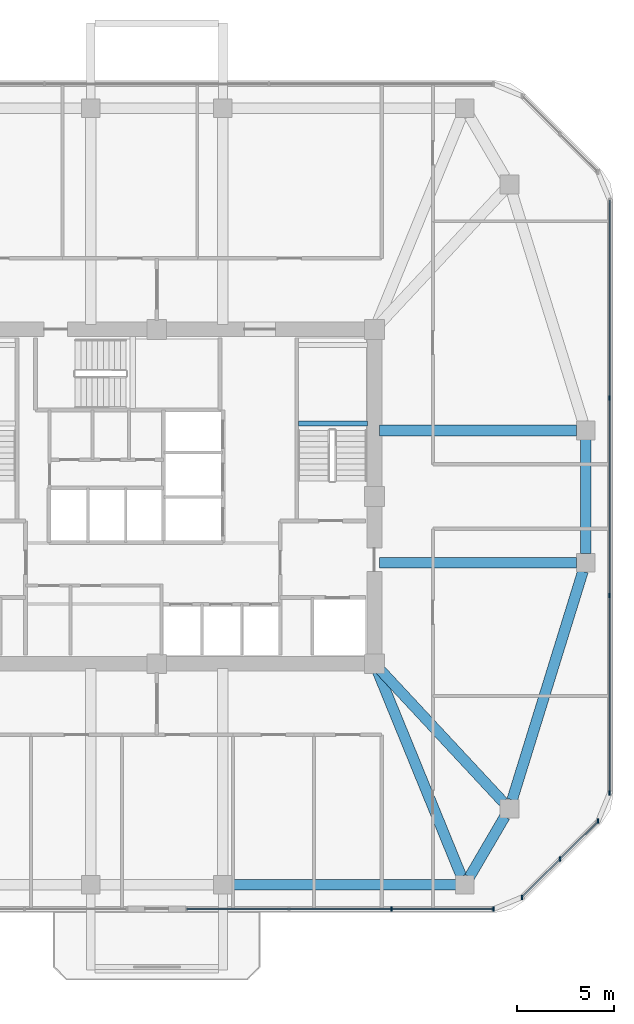
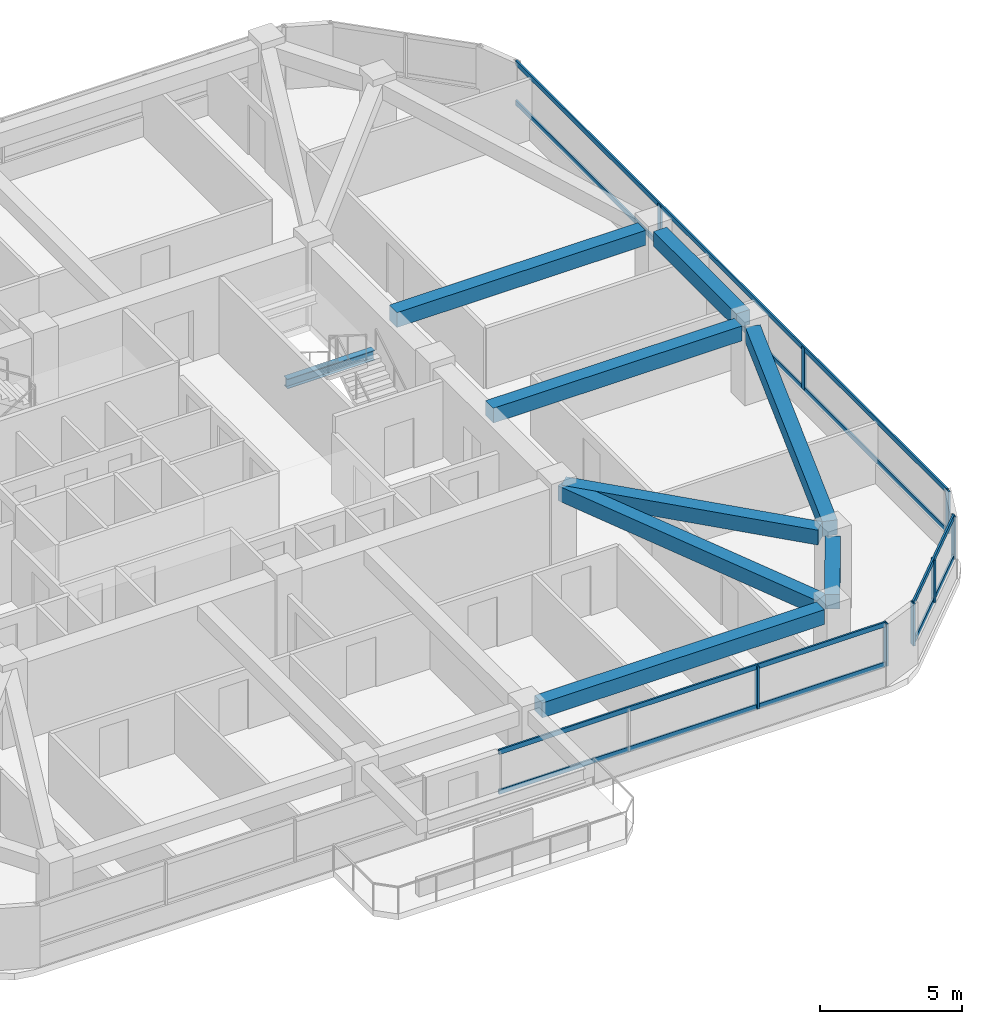
# One storey, part 3 of 12: 14 members, 9 beams, 3 elements without a shape of their own.
"""IFC4 building model written with IfcOpenShell, lengths in metres."""

from ifc_helpers import new_model, si_unit, derived_unit, direction, frame, origin, origin_2d, place, context, subcontext, project, spatial, rectangle, i_section, extrude, material, material_profile, profile_set, type_object, element, aggregate, save


model = new_model("IFC4")

# Units and contexts
model_context = context("Model", 3, precision=1e-05, world=origin(), true_north=direction((0.0, 1.0)))
body_context = subcontext(model_context, "Body", "Model", "MODEL_VIEW")
ifc_project = project(units=[si_unit("LENGTHUNIT", "METRE"), si_unit("AREAUNIT", "SQUARE_METRE"), si_unit("VOLUMEUNIT", "CUBIC_METRE"), si_unit("PLANEANGLEUNIT", "RADIAN"), si_unit("MASSUNIT", "GRAM", prefix="KILO"), derived_unit("THERMALTRANSMITTANCEUNIT", [(si_unit("POWERUNIT", "WATT"), 1), (si_unit("LENGTHUNIT", "METRE"), -2), (si_unit("THERMODYNAMICTEMPERATUREUNIT", "KELVIN"), -1)])], contexts=[model_context])

# Site, building, storey
site_placement = place(None, origin())
site = spatial("IfcSite", under=ifc_project, at=site_placement, CompositionType="ELEMENT")
building_placement = place(site_placement, origin())
building = spatial("IfcBuilding", under=site, at=building_placement, Name="Koralith Skygarden Medical Center", CompositionType="ELEMENT")
storey_placement = place(building_placement, frame((0.0, 0.0, 149.219970703125)))
storey = spatial("IfcBuildingStorey", under=building, at=storey_placement, Name="L38", CompositionType="ELEMENT", Elevation=149.219970703125)

# Curtain wall, members
ifc_material_1 = material(Name="Clear Laminated Glass", Category="glass")
curtain_wall_type = type_object("IfcCurtainWallType", Name="CW-4 Zone 3 Waist High-Wind Curtain Wall", PredefinedType="NOTDEFINED", material=ifc_material_1)
curtain_wall_1_placement = place(storey_placement, origin())
curtain_wall_1 = element("IfcCurtainWall", 1, at=curtain_wall_1_placement, inside=storey, type_object=curtain_wall_type, Name="Curtain Wall CW-L38-S-R", PredefinedType="NOTDEFINED")
ifc_material_2 = material(Name="Aluminium 6063-T6", Category="aluminium")
ifc_material_profile_1 = material_profile(ifc_material_2, rectangle(XDim=0.076904296875, YDim=0.22998046875, at=origin_2d()), Name="MUL77X230")
ifc_profile_set_1 = profile_set([ifc_material_profile_1], Name="Aluminium 6063-T6")
member_type_1 = type_object("IfcMemberType", Name="CW-4 Extruded Mullion 77x230", PredefinedType="MULLION", material=ifc_profile_set_1)
member_1_placement = place(storey_placement, frame((49.06591796875, 4.679931640625, 0.85009765625), z_axis=(0.0, 0.0, 1.0), x_axis=(1.0, 0.0, 0.0)))
member_1 = element("IfcMember", 2, at=member_1_placement, type_object=member_type_1, Name="CW-L38-S-R Mullion 3", PredefinedType="MULLION", context=body_context, shape_type="SweptSolid", body=[
    extrude(rectangle(XDim=0.076904296875, YDim=0.22998046875, at=origin_2d()), origin(), (0.0, 0.0, 1.0), 1.81982421875),
])
member_2_placement = place(storey_placement, frame((54.3291015625, 4.679931640625, 0.85009765625), z_axis=(0.0, 0.0, 1.0), x_axis=(1.0, 0.0, 0.0)))
member_2 = element("IfcMember", 3, at=member_2_placement, type_object=member_type_1, Name="CW-L38-S-R Mullion 4", PredefinedType="MULLION", context=body_context, shape_type="SweptSolid", body=[
    extrude(rectangle(XDim=0.076904296875, YDim=0.22998046875, at=origin_2d()), origin(), (0.0, 0.0, 1.0), 1.81982421875),
])

curtain_wall_2_placement = place(storey_placement, origin())
curtain_wall_2 = element("IfcCurtainWall", 4, at=curtain_wall_2_placement, inside=storey, type_object=curtain_wall_type, Name="Curtain Wall CW-L38-SE", PredefinedType="NOTDEFINED")
member_3_placement = place(storey_placement, frame((55.780029296875, 5.281005859375, 0.85009765625), z_axis=(0.0, 0.0, 1.0), x_axis=(1.0, 0.0, 0.0)))
member_3 = element("IfcMember", 5, at=member_3_placement, type_object=member_type_1, Name="CW-L38-SE Mullion 1", PredefinedType="MULLION", context=body_context, shape_type="SweptSolid", body=[
    extrude(rectangle(XDim=0.076904296875, YDim=0.22998046875, at=origin_2d()), origin(), (0.0, 0.0, 1.0), 1.81982421875),
])
member_4_placement = place(storey_placement, frame((57.741943359375, 7.241943359375, 0.85009765625), z_axis=(0.0, 0.0, 1.0), x_axis=(1.0, 0.0, 0.0)))
member_4 = element("IfcMember", 6, at=member_4_placement, type_object=member_type_1, Name="CW-L38-SE Mullion 2", PredefinedType="MULLION", context=body_context, shape_type="SweptSolid", body=[
    extrude(rectangle(XDim=0.076904296875, YDim=0.22998046875, at=origin_2d()), origin(), (0.0, 0.0, 1.0), 1.81982421875),
])
member_5_placement = place(storey_placement, frame((59.702880859375, 9.2041015625, 0.85009765625), z_axis=(0.0, 0.0, 1.0), x_axis=(1.0, 0.0, 0.0)))
member_5 = element("IfcMember", 7, at=member_5_placement, type_object=member_type_1, Name="CW-L38-SE Mullion 3", PredefinedType="MULLION", context=body_context, shape_type="SweptSolid", body=[
    extrude(rectangle(XDim=0.076904296875, YDim=0.22998046875, at=origin_2d()), origin(), (0.0, 0.0, 1.0), 1.81982421875),
])

curtain_wall_3_placement = place(storey_placement, origin())
curtain_wall_3 = element("IfcCurtainWall", 8, at=curtain_wall_3_placement, inside=storey, type_object=curtain_wall_type, Name="Curtain Wall CW-L38-E", PredefinedType="NOTDEFINED")
member_6_placement = place(storey_placement, frame((60.303955078125, 10.655029296875, 0.85009765625), z_axis=(0.0, 0.0, 1.0), x_axis=(1.0, 0.0, 0.0)))
member_6 = element("IfcMember", 9, at=member_6_placement, type_object=member_type_1, Name="CW-L38-E Mullion 1", PredefinedType="MULLION", context=body_context, shape_type="SweptSolid", body=[
    extrude(rectangle(XDim=0.076904296875, YDim=0.22998046875, at=origin_2d()), origin(), (0.0, 0.0, 1.0), 1.81982421875),
])
member_7_placement = place(storey_placement, frame((60.303955078125, 20.818115234375, 0.85009765625), z_axis=(0.0, 0.0, 1.0), x_axis=(1.0, 0.0, 0.0)))
member_7 = element("IfcMember", 10, at=member_7_placement, type_object=member_type_1, Name="CW-L38-E Mullion 2", PredefinedType="MULLION", context=body_context, shape_type="SweptSolid", body=[
    extrude(rectangle(XDim=0.076904296875, YDim=0.22998046875, at=origin_2d()), origin(), (0.0, 0.0, 1.0), 1.81982421875),
])
member_8_placement = place(storey_placement, frame((60.303955078125, 30.98193359375, 0.85009765625), z_axis=(0.0, 0.0, 1.0), x_axis=(1.0, 0.0, 0.0)))
member_8 = element("IfcMember", 11, at=member_8_placement, type_object=member_type_1, Name="CW-L38-E Mullion 3", PredefinedType="MULLION", context=body_context, shape_type="SweptSolid", body=[
    extrude(rectangle(XDim=0.076904296875, YDim=0.22998046875, at=origin_2d()), origin(), (0.0, 0.0, 1.0), 1.81982421875),
])

# Member
ifc_material_profile_2 = material_profile(ifc_material_2, rectangle(XDim=0.072021484375, YDim=0.20703125, at=origin_2d()), Name="TRN72X207")
ifc_profile_set_2 = profile_set([ifc_material_profile_2], Name="Aluminium 6063-T6")
member_type_2 = type_object("IfcMemberType", Name="CW-4 Thermal Transom 72x207", PredefinedType="USERDEFINED", material=ifc_profile_set_2)
member_9_placement = place(storey_placement, frame((38.5390625, 4.679931640625, 0.900146484375), z_axis=(1.0, 0.0, 0.0), x_axis=(0.0, 1.0, 0.0)))
member_9 = element("IfcMember", 12, at=member_9_placement, type_object=member_type_2, Name="CW-L38-S-R Transom 1", ObjectType="TRANSOM", PredefinedType="USERDEFINED", context=body_context, shape_type="SweptSolid", body=[
    extrude(rectangle(XDim=0.072021484375, YDim=0.20703125, at=origin_2d()), origin(), (0.0, 0.0, 1.0), 15.7900390625),
])

member_10_placement = place(storey_placement, frame((38.5390625, 4.679931640625, 2.6201171875), z_axis=(1.0, 0.0, 0.0), x_axis=(0.0, 1.0, 0.0)))
member_10 = element("IfcMember", 13, at=member_10_placement, type_object=member_type_2, Name="CW-L38-S-R Transom 2", ObjectType="TRANSOM", PredefinedType="USERDEFINED", context=body_context, shape_type="SweptSolid", body=[
    extrude(rectangle(XDim=0.072021484375, YDim=0.20703125, at=origin_2d()), origin(), (0.0, 0.0, 1.0), 15.7900390625),
])

aggregate(curtain_wall_1, [member_1, member_2, member_9, member_10])

member_11_placement = place(storey_placement, frame((55.780029296875, 5.281005859375, 0.900146484375), z_axis=(0.707084777957, 0.707128783731, 0.0), x_axis=(-0.707128783731, 0.707084777957, 0.0)))
member_11 = element("IfcMember", 14, at=member_11_placement, type_object=member_type_2, Name="CW-L38-SE Transom 1", ObjectType="TRANSOM", PredefinedType="USERDEFINED", context=body_context, shape_type="SweptSolid", body=[
    extrude(rectangle(XDim=0.072021484375, YDim=0.20703125, at=origin_2d()), origin(), (0.0, 0.0, 1.0), 5.5478515625),
])

member_12_placement = place(storey_placement, frame((55.780029296875, 5.281005859375, 2.6201171875), z_axis=(0.707084777957, 0.707128783731, 0.0), x_axis=(-0.707128783731, 0.707084777957, 0.0)))
member_12 = element("IfcMember", 15, at=member_12_placement, type_object=member_type_2, Name="CW-L38-SE Transom 2", ObjectType="TRANSOM", PredefinedType="USERDEFINED", context=body_context, shape_type="SweptSolid", body=[
    extrude(rectangle(XDim=0.072021484375, YDim=0.20703125, at=origin_2d()), origin(), (0.0, 0.0, 1.0), 5.5478515625),
])

aggregate(curtain_wall_2, [member_3, member_4, member_5, member_11, member_12])

member_13_placement = place(storey_placement, frame((60.303955078125, 10.655029296875, 0.900146484375), z_axis=(0.0, 1.0, 0.0), x_axis=(-1.0, 0.0, 0.0)))
member_13 = element("IfcMember", 16, at=member_13_placement, type_object=member_type_2, Name="CW-L38-E Transom 1", ObjectType="TRANSOM", PredefinedType="USERDEFINED", context=body_context, shape_type="SweptSolid", body=[
    extrude(rectangle(XDim=0.072021484375, YDim=0.20703125, at=origin_2d()), origin(), (0.0, 0.0, 1.0), 30.489990234375),
])

member_14_placement = place(storey_placement, frame((60.303955078125, 10.655029296875, 2.6201171875), z_axis=(0.0, 1.0, 0.0), x_axis=(-1.0, 0.0, 0.0)))
member_14 = element("IfcMember", 17, at=member_14_placement, type_object=member_type_2, Name="CW-L38-E Transom 2", ObjectType="TRANSOM", PredefinedType="USERDEFINED", context=body_context, shape_type="SweptSolid", body=[
    extrude(rectangle(XDim=0.072021484375, YDim=0.20703125, at=origin_2d()), origin(), (0.0, 0.0, 1.0), 30.489990234375),
])

aggregate(curtain_wall_3, [member_6, member_7, member_8, member_13, member_14])

# Beams
ifc_material_3 = material(Name="Steel ASTM A992 Grade 50", Category="steel")
ifc_material_profile_3 = material_profile(ifc_material_3, i_section(OverallWidth=0.260009765625, OverallDepth=0.4150390625, WebThickness=0.010009765625, FlangeThickness=0.016845703125, at=origin_2d()), Name="W16X67")
ifc_profile_set_3 = profile_set([ifc_material_profile_3], Name="Steel ASTM A992 Grade 50")
beam_type_1 = type_object("IfcBeamType", Name="Clinical Floor Joist W16X67", PredefinedType="JOIST", material=ifc_profile_set_3)
beam_1_placement = place(storey_placement, frame((44.280029296875, 29.659912109375, 1.39306640625), z_axis=(1.0, 0.0, 0.0), x_axis=(0.0, 1.0, 0.0)))
element("IfcBeam", 18, at=beam_1_placement, inside=storey, type_object=beam_type_1, Name="L38 Stair ST2 Half-Landing Support Beam 1A", PredefinedType="JOIST", context=body_context, shape_type="SweptSolid", body=[
    extrude(i_section(OverallWidth=0.260009765625, OverallDepth=0.4150390625, WebThickness=0.010009765625, FlangeThickness=0.016845703125, at=origin_2d()), origin(), (0.0, 0.0, 1.0), 3.56494140625),
])
ifc_material_4 = material(Name="Concrete C45/55", Category="concrete")
ifc_material_profile_4 = material_profile(ifc_material_4, rectangle(XDim=0.550048828125, YDim=0.639892578125, at=origin_2d()), Name="RCB550X640")
ifc_profile_set_4 = profile_set([ifc_material_profile_4], Name="Concrete C45/55")
beam_type_2 = type_object("IfcBeamType", Name="Radial Collector Beam RCB550X640", PredefinedType="BEAM", material=ifc_profile_set_4)
beam_2_placement = place(storey_placement, frame((48.294921875, 17.069091796875, 3.0), z_axis=(0.378344544364, -0.92566484526, 0.0), x_axis=(0.92566484526, 0.378344544364, 0.0)))
element("IfcBeam", 19, at=beam_2_placement, inside=storey, type_object=beam_type_2, Name="L38 Radial Collector Beam RB-06", PredefinedType="BEAM", context=body_context, shape_type="SweptSolid", body=[
    extrude(rectangle(XDim=0.550048828125, YDim=0.639892578125, at=origin_2d()), origin(), (0.0, 0.0, 1.0), 11.574462890625),
])
beam_3_placement = place(storey_placement, frame((48.3701171875, 17.116943359375, 3.0), z_axis=(0.681369011591, -0.731940072713, 0.0), x_axis=(0.731940072713, 0.681369011591, 0.0)))
element("IfcBeam", 20, at=beam_3_placement, inside=storey, type_object=beam_type_2, Name="L38 Radial Collector Beam RB-07", PredefinedType="BEAM", context=body_context, shape_type="SweptSolid", body=[
    extrude(rectangle(XDim=0.550048828125, YDim=0.639892578125, at=origin_2d()), origin(), (0.0, 0.0, 1.0), 9.471923828125),
])
for number, where, z_axis, x_axis, name in (
    (21, (48.449951171875, 22.5, 3.0), (1.0, 0.0, 0.0), (0.0, 1.0, 0.0), "L38 Radial Collector Beam RB-08"),
    (22, (48.449951171875, 29.300048828125, 3.0), (1.0, 0.0, 0.0), (0.0, 1.0, 0.0), "L38 Radial Collector Beam RB-09"),
):
    element("IfcBeam", number, at=place(storey_placement, frame(where, z_axis=z_axis, x_axis=x_axis)), inside=storey, type_object=beam_type_2, Name=name, PredefinedType="BEAM", context=body_context, shape_type="SweptSolid", body=[
        extrude(rectangle(XDim=0.550048828125, YDim=0.639892578125, at=origin_2d()), origin(), (0.0, 0.0, 1.0), 10.14404296875),
    ])
ifc_material_profile_5 = material_profile(ifc_material_4, rectangle(XDim=0.550048828125, YDim=0.639892578125, at=origin_2d()), Name="RCB550X640")
ifc_profile_set_5 = profile_set([ifc_material_profile_5], Name="Concrete C45/55")
beam_type_3 = type_object("IfcBeamType", Name="Zone 2-3 Spandrel Beam RCB550X640", PredefinedType="SPANDREL", material=ifc_profile_set_5)
beam_4_placement = place(storey_placement, frame((40.8701171875, 5.919921875, 3.0), z_axis=(1.0, 0.0, 0.0), x_axis=(0.0, 1.0, 0.0)))
element("IfcBeam", 23, at=beam_4_placement, inside=storey, type_object=beam_type_3, Name="L38 Perimeter Spandrel Beam SP-05", PredefinedType="SPANDREL", context=body_context, shape_type="SweptSolid", body=[
    extrude(rectangle(XDim=0.550048828125, YDim=0.639892578125, at=origin_2d()), origin(), (0.0, 0.0, 1.0), 11.511962890625),
])
beam_5_placement = place(storey_placement, frame((53.089111328125, 6.325927734375, 3.0), z_axis=(0.504861391295, 0.863200426077, 0.0), x_axis=(-0.863200426077, 0.504861391295, 0.0)))
element("IfcBeam", 24, at=beam_5_placement, inside=storey, type_object=beam_type_3, Name="L38 Perimeter Spandrel Beam SP-06", PredefinedType="SPANDREL", context=body_context, shape_type="SweptSolid", body=[
    extrude(rectangle(XDim=0.550048828125, YDim=0.639892578125, at=origin_2d()), origin(), (0.0, 0.0, 1.0), 3.600830078125),
])
beam_6_placement = place(storey_placement, frame((55.282958984375, 10.2890625, 3.0), z_axis=(0.295793585147, 0.955251880389, 0.0), x_axis=(-0.955251880389, 0.295793585147, 0.0)))
element("IfcBeam", 25, at=beam_6_placement, inside=storey, type_object=beam_type_3, Name="L38 Perimeter Spandrel Beam SP-07", PredefinedType="SPANDREL", context=body_context, shape_type="SweptSolid", body=[
    extrude(rectangle(XDim=0.550048828125, YDim=0.639892578125, at=origin_2d()), origin(), (0.0, 0.0, 1.0), 12.31298828125),
])
beam_7_placement = place(storey_placement, frame((59.06396484375, 22.969970703125, 3.0), z_axis=(0.0, 1.0, 0.0), x_axis=(-1.0, 0.0, 0.0)))
element("IfcBeam", 26, at=beam_7_placement, inside=storey, type_object=beam_type_3, Name="L38 Perimeter Spandrel Beam SP-08", PredefinedType="SPANDREL", context=body_context, shape_type="SweptSolid", body=[
    extrude(rectangle(XDim=0.550048828125, YDim=0.639892578125, at=origin_2d()), origin(), (0.0, 0.0, 1.0), 5.860107421875),
])

save(model, "model.ifc")
